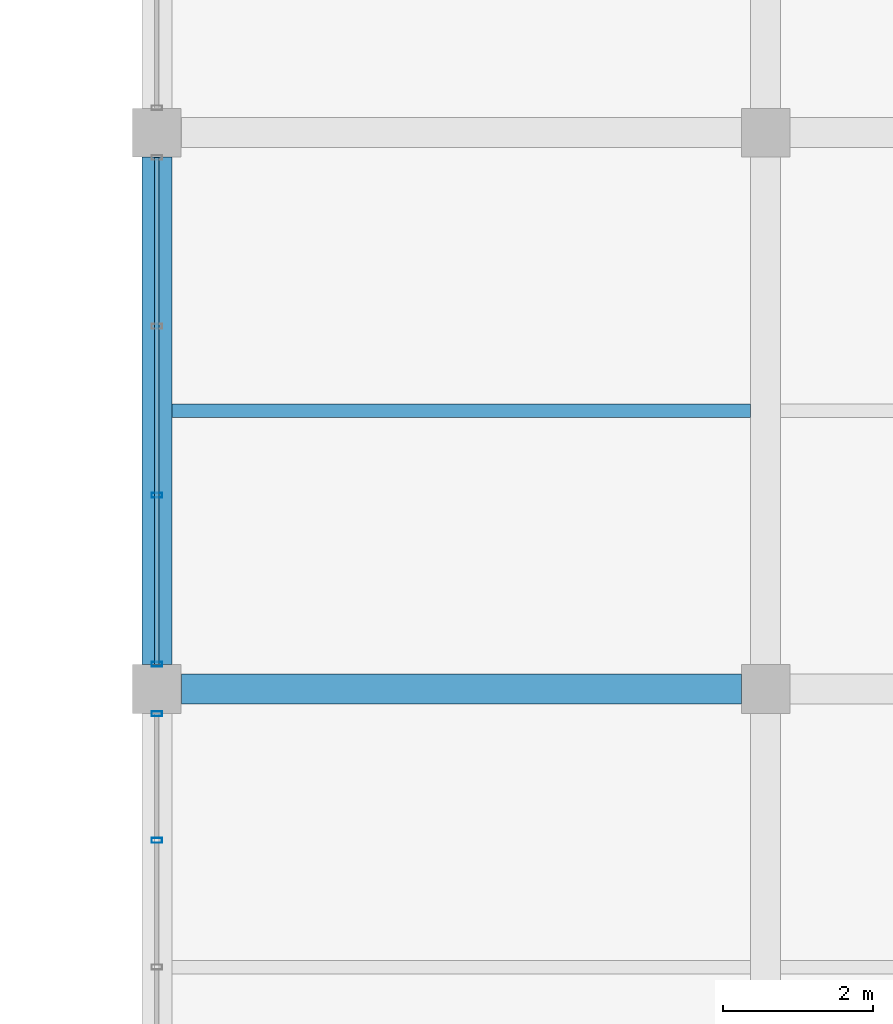
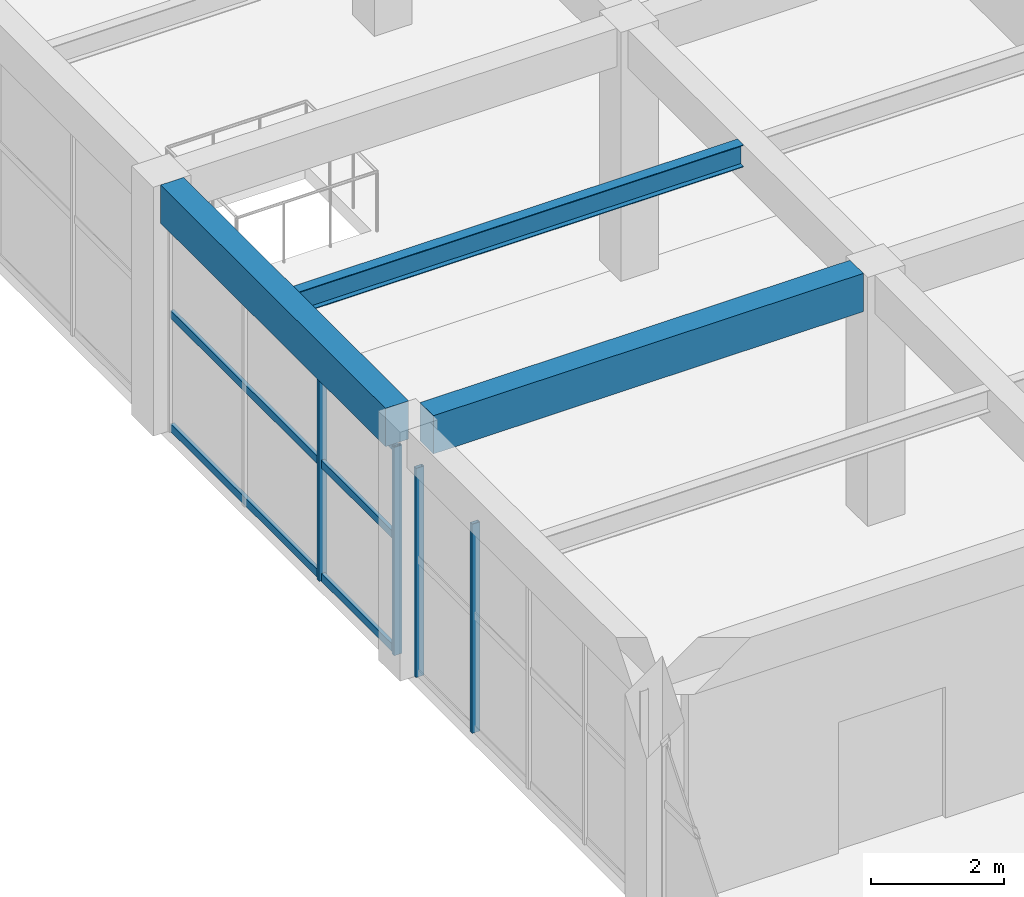
# One storey, part 64 of 161: 7 members, 3 beams, 2 elements without a shape of their own.
"""IFC4 building model written with IfcOpenShell, lengths in metres."""

from ifc_helpers import new_model, si_unit, direction, frame, origin, origin_2d, place, context, subcontext, project, spatial, rectangle, hollow_rectangle, i_section, extrude, material, material_profile, profile_set, type_object, element, aggregate, save


model = new_model("IFC4")

# Units and contexts
model_context = context("Model", 3, precision=1e-05, world=origin(), true_north=direction((0.0, 1.0)))
body_context = subcontext(model_context, "Body", "Model", "MODEL_VIEW")
ifc_project = project(units=[si_unit("LENGTHUNIT", "METRE"), si_unit("AREAUNIT", "SQUARE_METRE"), si_unit("VOLUMEUNIT", "CUBIC_METRE"), si_unit("PLANEANGLEUNIT", "RADIAN"), si_unit("MASSUNIT", "GRAM", prefix="KILO")], contexts=[model_context])

# Site, building, storey
site_placement = place(None, origin())
site = spatial("IfcSite", under=ifc_project, at=site_placement, CompositionType="ELEMENT")
building_placement = place(site_placement, origin())
building = spatial("IfcBuilding", under=site, at=building_placement, Name="Cimatlan Art Gallery", CompositionType="ELEMENT")
storey_placement = place(building_placement, frame((0.0, 0.0, 5.39990234375)))
storey = spatial("IfcBuildingStorey", under=building, at=storey_placement, Name="L01", CompositionType="ELEMENT", Elevation=5.39990234375)

# Beams
ifc_material_1 = material(Name="Concrete C40/50", Category="concrete")
ifc_material_profile_1 = material_profile(ifc_material_1, rectangle(XDim=0.39990234375, YDim=0.699951171875, at=origin_2d()), Name="RC400X700")
ifc_profile_set_1 = profile_set([ifc_material_profile_1], Name="Concrete C40/50")
beam_type_1 = type_object("IfcBeamType", Name="BM-RC-400X700", PredefinedType="BEAM", material=ifc_profile_set_1)
beam_1_placement = place(storey_placement, frame((115.39990234375, 61.22509765625, 4.210205078125), z_axis=(0.0, 1.0, 0.0), x_axis=(-1.0, 0.0, 0.0)))
element("IfcBeam", 1, at=beam_1_placement, inside=storey, type_object=beam_type_1, Name="BM-Y-L01-14-08", PredefinedType="BEAM", context=body_context, shape_type="SweptSolid", body=[
    extrude(rectangle(XDim=0.39990234375, YDim=0.699951171875, at=origin_2d()), origin(), (0.0, 0.0, 1.0), 6.75),
])
beam_2_placement = place(storey_placement, frame((115.72509765625, 60.89990234375, 4.210205078125), z_axis=(1.0, 0.0, 0.0), x_axis=(0.0, 1.0, 0.0)))
element("IfcBeam", 2, at=beam_2_placement, inside=storey, type_object=beam_type_1, Name="BM-X-L01-14-08", PredefinedType="BEAM", context=body_context, shape_type="SweptSolid", body=[
    extrude(rectangle(XDim=0.39990234375, YDim=0.699951171875, at=origin_2d()), origin(), (0.0, 0.0, 1.0), 7.449951171875),
])
ifc_material_2 = material(Name="Steel ASTM A992 Grade 50", Category="steel")
ifc_material_profile_2 = material_profile(ifc_material_2, i_section(OverallWidth=0.177978515625, OverallDepth=0.406982421875, WebThickness=0.0078125, FlangeThickness=0.0126953125, at=origin_2d()), Name="W16X40")
ifc_profile_set_2 = profile_set([ifc_material_profile_2], Name="Steel ASTM A992 Grade 50")
beam_type_2 = type_object("IfcBeamType", Name="BM-STL-W16X40", PredefinedType="JOIST", material=ifc_profile_set_2)
beam_3_placement = place(storey_placement, frame((115.60009765625, 64.60009765625, 4.356689453125), z_axis=(1.0, 0.0, 0.0), x_axis=(0.0, 1.0, 0.0)))
element("IfcBeam", 3, at=beam_3_placement, inside=storey, type_object=beam_type_2, Name="JST-L01-14-08", PredefinedType="JOIST", context=body_context, shape_type="SweptSolid", body=[
    extrude(i_section(OverallWidth=0.177978515625, OverallDepth=0.406982421875, WebThickness=0.0078125, FlangeThickness=0.0126953125, at=origin_2d()), origin(), (0.0, 0.0, 1.0), 7.699951171875),
])

# Curtain wall, members
ifc_material_3 = material(Name="Anodised bronze unitised curtain wall")
curtain_wall_type_1 = type_object("IfcCurtainWallType", Name="CW-V-06742X03830-B4", PredefinedType="NOTDEFINED", material=ifc_material_3)
curtain_wall_1_placement = place(storey_placement, origin())
curtain_wall_1 = element("IfcCurtainWall", 4, at=curtain_wall_1_placement, inside=storey, type_object=curtain_wall_type_1, Name="CW-L01-14-07-W", PredefinedType="NOTDEFINED")
ifc_material_4 = material(Name="Anodised bronze aluminium 6063-T6", Category="aluminium")
ifc_material_profile_3 = material_profile(ifc_material_4, hollow_rectangle(XDim=0.06494140625, YDim=0.139892578125, WallThickness=0.00390625, at=origin_2d()), Name="ALU65X140X4")
ifc_profile_set_3 = profile_set([ifc_material_profile_3], Name="Anodised bronze aluminium 6063-T6")
member_type_1 = type_object("IfcMemberType", Name="CW-MUL-140", PredefinedType="MULLION", material=ifc_profile_set_3)
member_1_placement = place(storey_placement, frame((115.39990234375, 58.885498046875, 0.0), z_axis=(0.0, 0.0, 1.0), x_axis=(0.0, 1.0, 0.0)))
member_1 = element("IfcMember", 5, at=member_1_placement, type_object=member_type_1, Name="CW-L01-14-07-W-M4", PredefinedType="MULLION", context=body_context, shape_type="SweptSolid", body=[
    extrude(hollow_rectangle(XDim=0.06494140625, YDim=0.139892578125, WallThickness=0.00390625, at=origin_2d()), origin(), (0.0, 0.0, 1.0), 3.830078125),
])
member_2_placement = place(storey_placement, frame((115.39990234375, 60.571044921875, 0.0), z_axis=(0.0, 0.0, 1.0), x_axis=(0.0, 1.0, 0.0)))
member_2 = element("IfcMember", 6, at=member_2_placement, type_object=member_type_1, Name="CW-L01-14-07-W-M5", PredefinedType="MULLION", context=body_context, shape_type="SweptSolid", body=[
    extrude(hollow_rectangle(XDim=0.06494140625, YDim=0.139892578125, WallThickness=0.00390625, at=origin_2d()), origin(), (0.0, 0.0, 1.0), 3.830078125),
])
aggregate(curtain_wall_1, [member_1, member_2])

curtain_wall_type_2 = type_object("IfcCurtainWallType", Name="CW-V-06742X03815-B3", PredefinedType="NOTDEFINED", material=ifc_material_3)
curtain_wall_2_placement = place(storey_placement, origin())
curtain_wall_2 = element("IfcCurtainWall", 7, at=curtain_wall_2_placement, inside=storey, type_object=curtain_wall_type_2, Name="CW-L01-14-08-W", PredefinedType="NOTDEFINED")
member_3_placement = place(storey_placement, frame((115.39990234375, 61.22900390625, 0.0), z_axis=(0.0, 0.0, 1.0), x_axis=(0.0, 1.0, 0.0)))
member_3 = element("IfcMember", 8, at=member_3_placement, type_object=member_type_1, Name="CW-L01-14-08-W-M1", PredefinedType="MULLION", context=body_context, shape_type="SweptSolid", body=[
    extrude(hollow_rectangle(XDim=0.06494140625, YDim=0.139892578125, WallThickness=0.00390625, at=origin_2d()), origin(), (0.0, 0.0, 1.0), 3.815185546875),
])
member_4_placement = place(storey_placement, frame((115.39990234375, 63.476318359375, 0.0), z_axis=(0.0, 0.0, 1.0), x_axis=(0.0, 1.0, 0.0)))
member_4 = element("IfcMember", 9, at=member_4_placement, type_object=member_type_1, Name="CW-L01-14-08-W-M2", PredefinedType="MULLION", context=body_context, shape_type="SweptSolid", body=[
    extrude(hollow_rectangle(XDim=0.06494140625, YDim=0.139892578125, WallThickness=0.00390625, at=origin_2d()), origin(), (0.0, 0.0, 1.0), 3.815185546875),
])
ifc_material_profile_4 = material_profile(ifc_material_4, hollow_rectangle(XDim=0.06494140625, YDim=0.139892578125, WallThickness=0.00390625, at=origin_2d()), Name="ALU65X140X4")
ifc_profile_set_4 = profile_set([ifc_material_profile_4], Name="Anodised bronze aluminium 6063-T6")
member_type_2 = type_object("IfcMemberType", Name="CW-TRN-140", PredefinedType="USERDEFINED", material=ifc_profile_set_4)
member_5_placement = place(storey_placement, frame((115.39990234375, 61.22900390625, 0.06005859375), z_axis=(0.0, 1.0, 0.0), x_axis=(-1.0, 0.0, 0.0)))
member_5 = element("IfcMember", 10, at=member_5_placement, type_object=member_type_2, Name="CW-L01-14-08-W-T1", ObjectType="TRANSOM", PredefinedType="USERDEFINED", context=body_context, shape_type="SweptSolid", body=[
    extrude(hollow_rectangle(XDim=0.06494140625, YDim=0.139892578125, WallThickness=0.00390625, at=origin_2d()), origin(), (0.0, 0.0, 1.0), 6.741943359375),
])
member_6_placement = place(storey_placement, frame((115.39990234375, 61.22900390625, 2.136474609375), z_axis=(0.0, 1.0, 0.0), x_axis=(-1.0, 0.0, 0.0)))
member_6 = element("IfcMember", 11, at=member_6_placement, type_object=member_type_2, Name="CW-L01-14-08-W-T2", ObjectType="TRANSOM", PredefinedType="USERDEFINED", context=body_context, shape_type="SweptSolid", body=[
    extrude(hollow_rectangle(XDim=0.06494140625, YDim=0.139892578125, WallThickness=0.00390625, at=origin_2d()), origin(), (0.0, 0.0, 1.0), 6.741943359375),
])
member_7_placement = place(storey_placement, frame((115.39990234375, 61.22900390625, 3.755126953125), z_axis=(0.0, 1.0, 0.0), x_axis=(-1.0, 0.0, 0.0)))
member_7 = element("IfcMember", 12, at=member_7_placement, type_object=member_type_2, Name="CW-L01-14-08-W-T3", ObjectType="TRANSOM", PredefinedType="USERDEFINED", context=body_context, shape_type="SweptSolid", body=[
    extrude(hollow_rectangle(XDim=0.06494140625, YDim=0.139892578125, WallThickness=0.00390625, at=origin_2d()), origin(), (0.0, 0.0, 1.0), 6.741943359375),
])
aggregate(curtain_wall_2, [member_3, member_4, member_5, member_6, member_7])

save(model, "model.ifc")
